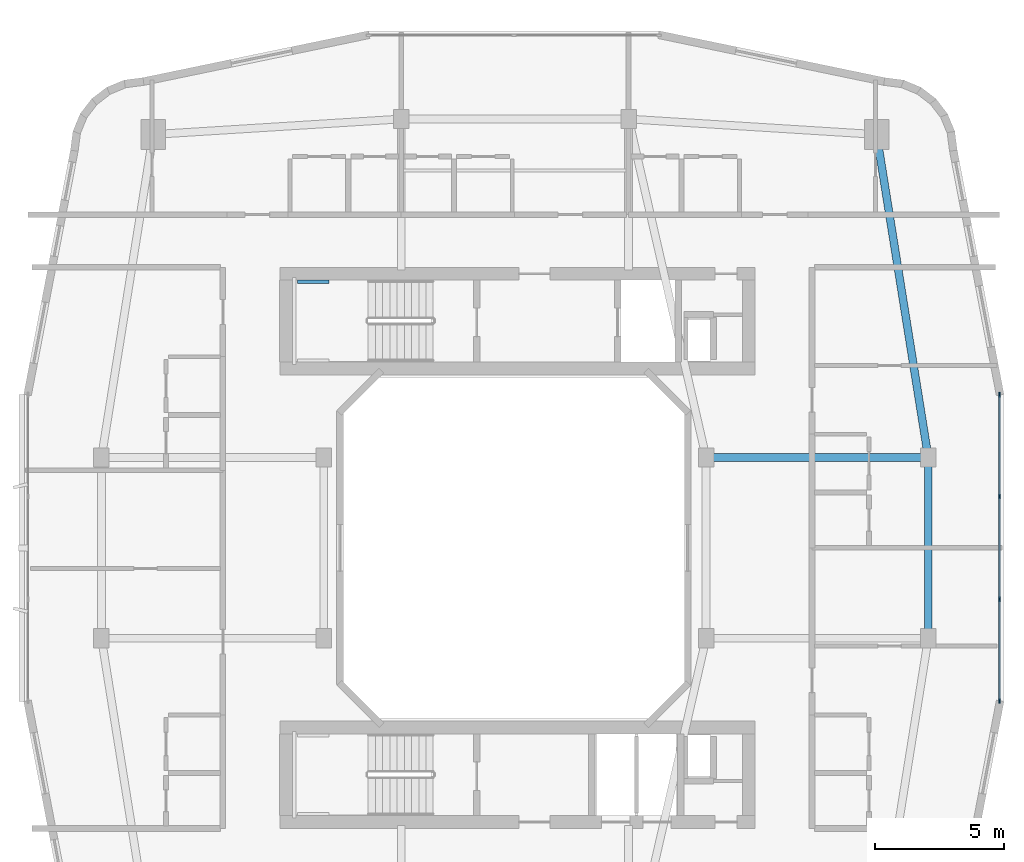
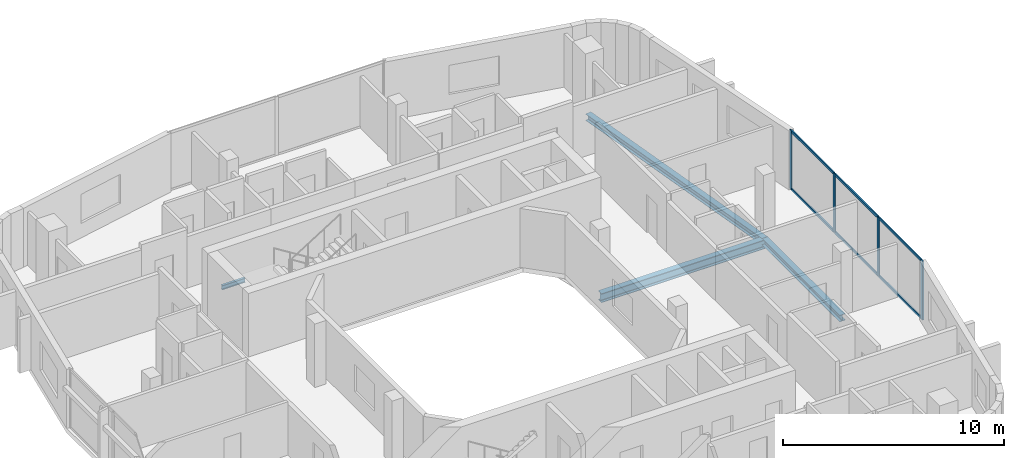
# One storey, part 10 of 27: 10 members, 4 beams, 1 element without a shape of its own.
"""IFC4 building model written with IfcOpenShell, lengths in metres."""

from ifc_helpers import new_model, si_unit, derived_unit, direction, frame, origin, origin_2d, place, context, subcontext, project, spatial, rectangle, i_section, extrude, material, layer, layer_set, material_profile, profile_set, type_object, element, aggregate, save


model = new_model("IFC4")

# Units and contexts
model_context = context("Model", 3, precision=1e-05, world=origin(), true_north=direction((0.0, 1.0)))
body_context = subcontext(model_context, "Body", "Model", "MODEL_VIEW")
ifc_project = project(units=[si_unit("LENGTHUNIT", "METRE"), si_unit("AREAUNIT", "SQUARE_METRE"), si_unit("VOLUMEUNIT", "CUBIC_METRE"), si_unit("PLANEANGLEUNIT", "RADIAN"), si_unit("MASSUNIT", "GRAM", prefix="KILO"), derived_unit("THERMALTRANSMITTANCEUNIT", [(si_unit("POWERUNIT", "WATT"), 1), (si_unit("LENGTHUNIT", "METRE"), -2), (si_unit("THERMODYNAMICTEMPERATUREUNIT", "KELVIN"), -1)])], contexts=[model_context])

# Site, building, storey
site_placement = place(None, origin())
site = spatial("IfcSite", under=ifc_project, at=site_placement, CompositionType="ELEMENT")
building_placement = place(site_placement, origin())
building = spatial("IfcBuilding", under=site, at=building_placement, Name="Kivonza Crest Hotel", CompositionType="ELEMENT")
storey_placement = place(building_placement, frame((0.0, 0.0, 76.5)))
storey = spatial("IfcBuildingStorey", under=building, at=storey_placement, Name="L20", CompositionType="ELEMENT", Elevation=76.5)

# Beams
ifc_material_1 = material(Name="Steel S355", Category="steel")
ifc_material_profile_1 = material_profile(ifc_material_1, i_section(OverallWidth=0.300048828125, OverallDepth=0.360107421875, WebThickness=0.012451171875, FlangeThickness=0.0224609375, FilletRadius=0.027099609375, at=origin_2d()), Name="HEB 360")
ifc_profile_set_1 = profile_set([ifc_material_profile_1], Name="Steel S355")
beam_type_1 = type_object("IfcBeamType", Name="BM-HEB360", PredefinedType="SPANDREL", material=ifc_profile_set_1)
beam_1_placement = place(storey_placement, frame((93.0, 21.5, -0.429931640625), z_axis=(0.0, 1.0, 0.0), x_axis=(-1.0, 0.0, 0.0)))
element("IfcBeam", 1, at=beam_1_placement, inside=storey, type_object=beam_type_1, Name="Companion Tower T2 L20 perimeter spandrel E1-E2", PredefinedType="SPANDREL", context=body_context, shape_type="SweptSolid", body=[
    extrude(i_section(OverallWidth=0.300048828125, OverallDepth=0.360107421875, WebThickness=0.012451171875, FlangeThickness=0.0224609375, FilletRadius=0.027099609375, at=origin_2d()), origin(), (0.0, 0.0, 1.0), 7.0),
])
beam_2_placement = place(storey_placement, frame((93.0, 28.5, -0.429931640625), z_axis=(-0.157990501107, 0.987440631917, 0.0), x_axis=(-0.987440631917, -0.157990501107, 0.0)))
element("IfcBeam", 2, at=beam_2_placement, inside=storey, type_object=beam_type_1, Name="Companion Tower T2 L20 perimeter spandrel E2-NE", PredefinedType="SPANDREL", context=body_context, shape_type="SweptSolid", body=[
    extrude(i_section(OverallWidth=0.300048828125, OverallDepth=0.360107421875, WebThickness=0.012451171875, FlangeThickness=0.0224609375, FilletRadius=0.027099609375, at=origin_2d()), origin(), (0.0, 0.0, 1.0), 12.658935546875),
])
ifc_material_profile_2 = material_profile(ifc_material_1, i_section(OverallWidth=0.300048828125, OverallDepth=0.5, WebThickness=0.014404296875, FlangeThickness=0.028076171875, FilletRadius=0.027099609375, at=origin_2d()), Name="HEB 500")
ifc_profile_set_2 = profile_set([ifc_material_profile_2], Name="Steel S355")
beam_type_2 = type_object("IfcBeamType", Name="BM-HEB500", PredefinedType="BEAM", material=ifc_profile_set_2)
beam_3_placement = place(storey_placement, frame((84.39990234375, 28.5, -0.5), z_axis=(1.0, 0.0, 0.0), x_axis=(0.0, 1.0, 0.0)))
element("IfcBeam", 3, at=beam_3_placement, inside=storey, type_object=beam_type_2, Name="Companion Tower T2 L20 girder WR2-E2", PredefinedType="BEAM", context=body_context, shape_type="SweptSolid", body=[
    extrude(i_section(OverallWidth=0.300048828125, OverallDepth=0.5, WebThickness=0.014404296875, FlangeThickness=0.028076171875, FilletRadius=0.027099609375, at=origin_2d()), origin(), (0.0, 0.0, 1.0), 8.60009765625),
])
ifc_material_profile_3 = material_profile(ifc_material_1, i_section(OverallWidth=0.1201171875, OverallDepth=0.239990234375, WebThickness=0.006103515625, FlangeThickness=0.009765625, FilletRadius=0.014892578125, at=origin_2d()), Name="IPE 240")
ifc_profile_set_3 = profile_set([ifc_material_profile_3], Name="Steel S355")
beam_type_3 = type_object("IfcBeamType", Name="BM-LLDG-240", PredefinedType="BEAM", material=ifc_profile_set_3)
beam_4_placement = place(storey_placement, frame((68.590087890625, 35.300048828125, 1.429931640625), z_axis=(1.0, 0.0, 0.0), x_axis=(0.0, 1.0, 0.0)))
element("IfcBeam", 4, at=beam_4_placement, inside=storey, type_object=beam_type_3, Name="Stair ST-T2-N L20 North landing corbel", PredefinedType="BEAM", context=body_context, shape_type="SweptSolid", body=[
    extrude(i_section(OverallWidth=0.1201171875, OverallDepth=0.239990234375, WebThickness=0.006103515625, FlangeThickness=0.009765625, FilletRadius=0.014892578125, at=origin_2d()), origin(), (0.0, 0.0, 1.0), 1.2099609375),
])

# Curtain wall, members
ifc_material_2 = material(Name="Anodised bronze aluminium and low-E double glazing", Category="aluminium")
ifc_layer = layer(ifc_material_2, 0.179931640625)
ifc_layer_set = layer_set([ifc_layer], Name="Anodised bronze aluminium and low-E double glazing")
curtain_wall_type = type_object("IfcCurtainWallType", Name="CW-SYS-4", PredefinedType="NOTDEFINED", material=ifc_layer_set)
curtain_wall_placement = place(storey_placement, origin())
curtain_wall = element("IfcCurtainWall", 5, at=curtain_wall_placement, inside=storey, type_object=curtain_wall_type, Name="L20 unitised curtain wall CW-T2-L20-17", PredefinedType="NOTDEFINED")
ifc_material_3 = material(Name="Anodised bronze aluminium", Category="aluminium")
ifc_material_profile_4 = material_profile(ifc_material_3, rectangle(XDim=0.06494140625, YDim=0.179931640625, at=origin_2d()), Name="CW-M 65x180")
ifc_profile_set_4 = profile_set([ifc_material_profile_4], Name="Anodised bronze aluminium")
member_type_1 = type_object("IfcMemberType", Name="CW-MUL-65x180", PredefinedType="MULLION", material=ifc_profile_set_4)
member_1_placement = place(storey_placement, frame((95.760009765625, 19.072509765625, 0.0), z_axis=(0.0, 0.0, 1.0), x_axis=(-1.0, 0.0, 0.0)))
member_1 = element("IfcMember", 6, at=member_1_placement, type_object=member_type_1, Name="CW-4 mullion 1", PredefinedType="MULLION", context=body_context, shape_type="SweptSolid", body=[
    extrude(rectangle(XDim=0.06494140625, YDim=0.179931640625, at=origin_2d()), origin(), (0.0, 0.0, 1.0), 3.25),
])
member_2_placement = place(storey_placement, frame((95.760009765625, 23.013427734375, 0.0), z_axis=(0.0, 0.0, 1.0), x_axis=(-1.0, 0.0, 0.0)))
member_2 = element("IfcMember", 7, at=member_2_placement, type_object=member_type_1, Name="CW-4 mullion 2", PredefinedType="MULLION", context=body_context, shape_type="SweptSolid", body=[
    extrude(rectangle(XDim=0.06494140625, YDim=0.179931640625, at=origin_2d()), origin(), (0.0, 0.0, 1.0), 3.25),
])
member_3_placement = place(storey_placement, frame((95.760009765625, 26.986572265625, 0.0), z_axis=(0.0, 0.0, 1.0), x_axis=(-1.0, 0.0, 0.0)))
member_3 = element("IfcMember", 8, at=member_3_placement, type_object=member_type_1, Name="CW-4 mullion 3", PredefinedType="MULLION", context=body_context, shape_type="SweptSolid", body=[
    extrude(rectangle(XDim=0.06494140625, YDim=0.179931640625, at=origin_2d()), origin(), (0.0, 0.0, 1.0), 3.25),
])
member_4_placement = place(storey_placement, frame((95.760009765625, 30.927490234375, 0.0), z_axis=(0.0, 0.0, 1.0), x_axis=(-1.0, 0.0, 0.0)))
member_4 = element("IfcMember", 9, at=member_4_placement, type_object=member_type_1, Name="CW-4 mullion 4", PredefinedType="MULLION", context=body_context, shape_type="SweptSolid", body=[
    extrude(rectangle(XDim=0.06494140625, YDim=0.179931640625, at=origin_2d()), origin(), (0.0, 0.0, 1.0), 3.25),
])
ifc_material_profile_5 = material_profile(ifc_material_3, rectangle(XDim=0.06494140625, YDim=0.139892578125, at=origin_2d()), Name="CW-T 65x140")
ifc_profile_set_5 = profile_set([ifc_material_profile_5], Name="Anodised bronze aluminium")
member_type_2 = type_object("IfcMemberType", Name="CW-TRN-65x140", PredefinedType="USERDEFINED", material=ifc_profile_set_5)
member_5_placement = place(storey_placement, frame((95.760009765625, 19.10498046875, 0.032470703125), z_axis=(0.0, 1.0, 0.0), x_axis=(-1.0, 0.0, 0.0)))
member_5 = element("IfcMember", 10, at=member_5_placement, type_object=member_type_2, Name="CW-4 transom 1.1", ObjectType="TRANSOM", PredefinedType="USERDEFINED", context=body_context, shape_type="SweptSolid", body=[
    extrude(rectangle(XDim=0.06494140625, YDim=0.139892578125, at=origin_2d()), origin(), (0.0, 0.0, 1.0), 3.875732421875),
])
member_6_placement = place(storey_placement, frame((95.760009765625, 19.10498046875, 3.217529296875), z_axis=(0.0, 1.0, 0.0), x_axis=(-1.0, 0.0, 0.0)))
member_6 = element("IfcMember", 11, at=member_6_placement, type_object=member_type_2, Name="CW-4 transom 1.2", ObjectType="TRANSOM", PredefinedType="USERDEFINED", context=body_context, shape_type="SweptSolid", body=[
    extrude(rectangle(XDim=0.06494140625, YDim=0.139892578125, at=origin_2d()), origin(), (0.0, 0.0, 1.0), 3.875732421875),
])
member_7_placement = place(storey_placement, frame((95.760009765625, 23.0458984375, 0.032470703125), z_axis=(0.0, 1.0, 0.0), x_axis=(-1.0, 0.0, 0.0)))
member_7 = element("IfcMember", 12, at=member_7_placement, type_object=member_type_2, Name="CW-4 transom 2.1", ObjectType="TRANSOM", PredefinedType="USERDEFINED", context=body_context, shape_type="SweptSolid", body=[
    extrude(rectangle(XDim=0.06494140625, YDim=0.139892578125, at=origin_2d()), origin(), (0.0, 0.0, 1.0), 3.908203125),
])
member_8_placement = place(storey_placement, frame((95.760009765625, 23.0458984375, 3.217529296875), z_axis=(0.0, 1.0, 0.0), x_axis=(-1.0, 0.0, 0.0)))
member_8 = element("IfcMember", 13, at=member_8_placement, type_object=member_type_2, Name="CW-4 transom 2.2", ObjectType="TRANSOM", PredefinedType="USERDEFINED", context=body_context, shape_type="SweptSolid", body=[
    extrude(rectangle(XDim=0.06494140625, YDim=0.139892578125, at=origin_2d()), origin(), (0.0, 0.0, 1.0), 3.908203125),
])
member_9_placement = place(storey_placement, frame((95.760009765625, 27.019287109375, 0.032470703125), z_axis=(0.0, 1.0, 0.0), x_axis=(-1.0, 0.0, 0.0)))
member_9 = element("IfcMember", 14, at=member_9_placement, type_object=member_type_2, Name="CW-4 transom 3.1", ObjectType="TRANSOM", PredefinedType="USERDEFINED", context=body_context, shape_type="SweptSolid", body=[
    extrude(rectangle(XDim=0.06494140625, YDim=0.139892578125, at=origin_2d()), origin(), (0.0, 0.0, 1.0), 3.875732421875),
])
member_10_placement = place(storey_placement, frame((95.760009765625, 27.019287109375, 3.217529296875), z_axis=(0.0, 1.0, 0.0), x_axis=(-1.0, 0.0, 0.0)))
member_10 = element("IfcMember", 15, at=member_10_placement, type_object=member_type_2, Name="CW-4 transom 3.2", ObjectType="TRANSOM", PredefinedType="USERDEFINED", context=body_context, shape_type="SweptSolid", body=[
    extrude(rectangle(XDim=0.06494140625, YDim=0.139892578125, at=origin_2d()), origin(), (0.0, 0.0, 1.0), 3.875732421875),
])
aggregate(curtain_wall, [member_1, member_2, member_3, member_4, member_5, member_6, member_7, member_8, member_9, member_10])

save(model, "model.ifc")
